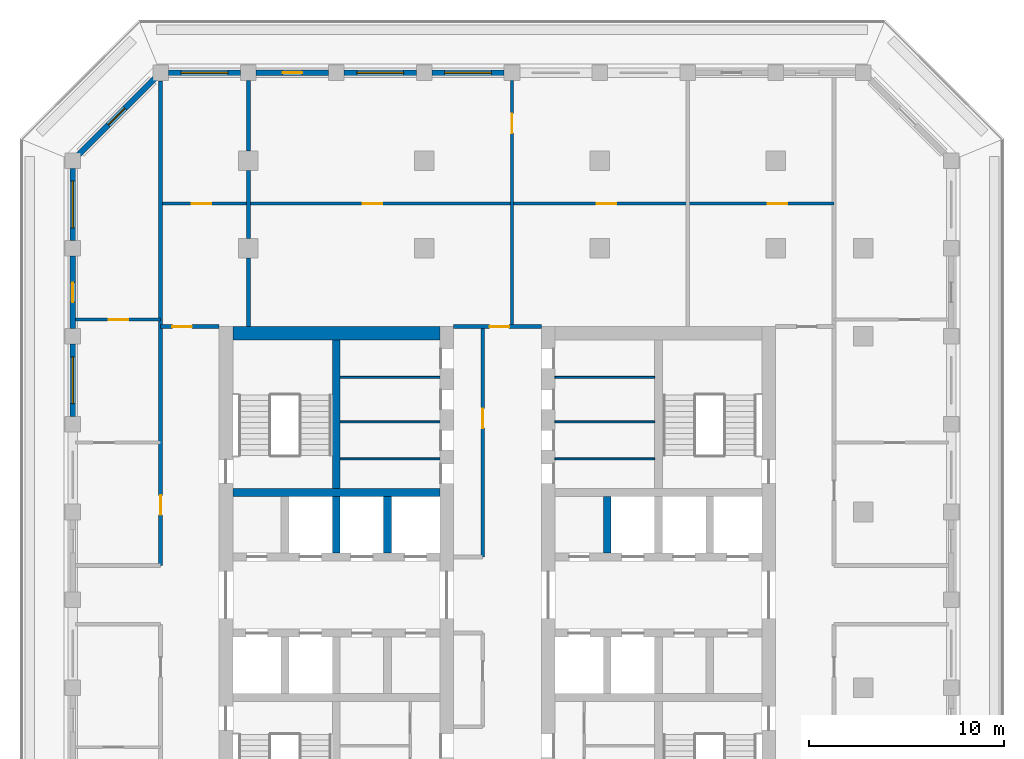
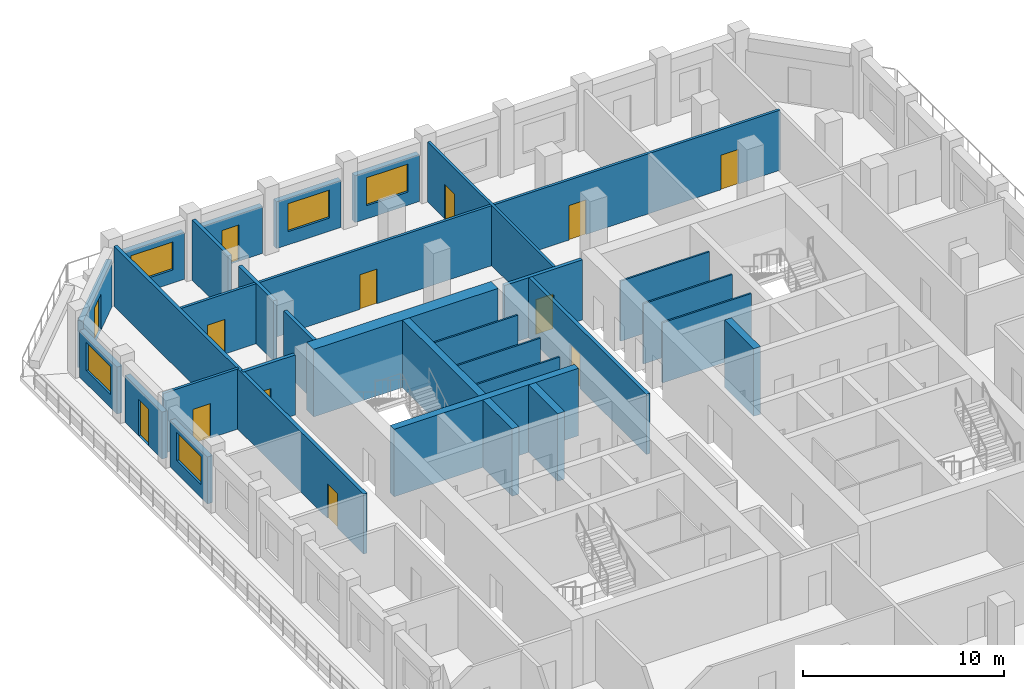
# One storey, part 6 of 17: 30 walls, 13 doors, 5 windows, 18 openings.
"""IFC4 building model written with IfcOpenShell, lengths in metres."""

from ifc_helpers import new_model, si_unit, direction, frame, frame_2d, origin, place, context, subcontext, project, spatial, rectangle, extrude, material, layer, layer_set, type_object, element, fill, save


model = new_model("IFC4")

# Units and contexts
model_context = context("Model", 3, precision=1e-05, world=origin(), true_north=direction((0.0, 1.0)))
body_context = subcontext(model_context, "Body", "Model", "MODEL_VIEW")
ifc_project = project(units=[si_unit("LENGTHUNIT", "METRE"), si_unit("AREAUNIT", "SQUARE_METRE"), si_unit("VOLUMEUNIT", "CUBIC_METRE"), si_unit("PLANEANGLEUNIT", "RADIAN"), si_unit("MASSUNIT", "GRAM", prefix="KILO")], contexts=[model_context])

# Site, building, storey
site_placement = place(None, origin())
site = spatial("IfcSite", under=ifc_project, at=site_placement, CompositionType="ELEMENT")
building_placement = place(site_placement, origin())
building = spatial("IfcBuilding", under=site, at=building_placement, Name="Corbel Stack Research Tower", CompositionType="ELEMENT")
storey_placement = place(building_placement, frame((0.0, 0.0, 235.699951171875)))
storey = spatial("IfcBuildingStorey", under=building, at=storey_placement, Name="L53", CompositionType="ELEMENT", Elevation=235.699951171875)

# Walls
ifc_material_1 = material(Name="Concrete C60/75", Category="concrete")
ifc_layer_1 = layer(ifc_material_1, 0.39990234375)
ifc_layer_set_1 = layer_set([ifc_layer_1], Name="Concrete C60/75")
wall_type_1 = type_object("IfcWallType", Name="CW-400-60", PredefinedType="SHEAR", material=ifc_layer_set_1)
wall_1_placement = place(storey_placement, frame((-9.800048828125, 10.0, 0.0), z_axis=(0.0, 0.0, 1.0), x_axis=(1.0, 0.0, 0.0)))
element("IfcWall", 1, at=wall_1_placement, inside=storey, type_object=wall_type_1, Name="West core wall, north row back L53", PredefinedType="SHEAR", context=body_context, shape_type="SweptSolid", body=[
    extrude(rectangle(XDim=10.60009765625, YDim=0.39990234375, at=frame_2d((5.300048828125, 0.0))), origin(), (0.0, 0.0, 1.0), 4.10009765625),
])
for number, where, z_axis, x_axis, name in (
    (2, (-4.5, 6.89990234375, 0.0), (0.0, 0.0, 1.0), (0.0, 1.0, 0.0), "West core wall, north shaft 2 L53"),
    (3, (-1.875, 6.89990234375, 0.0), (0.0, 0.0, 1.0), (0.0, 1.0, 0.0), "West core wall, north shaft 3 L53"),
):
    element("IfcWall", number, at=place(storey_placement, frame(where, z_axis=z_axis, x_axis=x_axis)), inside=storey, type_object=wall_type_1, Name=name, PredefinedType="SHEAR", context=body_context, shape_type="SweptSolid", body=[
        extrude(rectangle(XDim=2.900146484375, YDim=0.39990234375, at=frame_2d((1.4501953125, 0.0))), origin(), (0.0, 0.0, 1.0), 4.10009765625),
    ])
wall_2_placement = place(storey_placement, frame((-4.5, 10.199951171875, 0.0), z_axis=(0.0, 0.0, 1.0), x_axis=(0.0, 1.0, 0.0)))
element("IfcWall", 4, at=wall_2_placement, inside=storey, type_object=wall_type_1, Name="West core wall, north stair and riser L53", PredefinedType="SHEAR", context=body_context, shape_type="SweptSolid", body=[
    extrude(rectangle(XDim=7.60009765625, YDim=0.39990234375, at=frame_2d((3.800048828125, 0.0))), origin(), (0.0, 0.0, 1.0), 4.10009765625),
])
wall_3_placement = place(storey_placement, frame((9.375, 6.89990234375, 0.0), z_axis=(0.0, 0.0, 1.0), x_axis=(0.0, 1.0, 0.0)))
element("IfcWall", 5, at=wall_3_placement, inside=storey, type_object=wall_type_1, Name="East core wall, north shaft 1 L53", PredefinedType="SHEAR", context=body_context, shape_type="SweptSolid", body=[
    extrude(rectangle(XDim=2.900146484375, YDim=0.39990234375, at=frame_2d((1.4501953125, 0.0))), origin(), (0.0, 0.0, 1.0), 4.10009765625),
])
ifc_material_2 = material(Name="Concrete C60/75", Category="concrete")
ifc_layer_2 = layer(ifc_material_2, 0.699951171875)
ifc_layer_set_2 = layer_set([ifc_layer_2], Name="Concrete C60/75")
wall_type_2 = type_object("IfcWallType", Name="CW-700-60", PredefinedType="SHEAR", material=ifc_layer_set_2)
wall_4_placement = place(storey_placement, frame((-9.800048828125, 18.14990234375, 0.0), z_axis=(0.0, 0.0, 1.0), x_axis=(1.0, 0.0, 0.0)))
element("IfcWall", 6, at=wall_4_placement, inside=storey, type_object=wall_type_2, Name="West core wall, north end L53", PredefinedType="SHEAR", context=body_context, shape_type="SweptSolid", body=[
    extrude(rectangle(XDim=10.60009765625, YDim=0.699951171875, at=frame_2d((5.300048828125, 0.0))), origin(), (0.0, 0.0, 1.0), 4.10009765625),
])
ifc_material_3 = material(Name="Gypsum board")
ifc_layer_3 = layer(ifc_material_3, 0.10009765625)
ifc_layer_set_3 = layer_set([ifc_layer_3], Name="Gypsum board")
wall_type_3 = type_object("IfcWallType", Name="Core partition 100", PredefinedType="PARTITIONING", material=ifc_layer_set_3)
for number, where, z_axis, x_axis, name in (
    (7, (-4.300048828125, 11.719970703125, 0.0), (0.0, 0.0, 1.0), (1.0, 0.0, 0.0), "Core partition W"),
    (8, (-4.300048828125, 13.6201171875, 0.0), (0.0, 0.0, 1.0), (1.0, 0.0, 0.0), "Core partition W"),
    (9, (-4.300048828125, 15.89990234375, 0.0), (0.0, 0.0, 1.0), (1.0, 0.0, 0.0), "Core partition W"),
    (10, (6.699951171875, 11.719970703125, 0.0), (0.0, 0.0, 1.0), (1.0, 0.0, 0.0), "Core partition E"),
    (11, (6.699951171875, 13.6201171875, 0.0), (0.0, 0.0, 1.0), (1.0, 0.0, 0.0), "Core partition E"),
    (12, (6.699951171875, 15.89990234375, 0.0), (0.0, 0.0, 1.0), (1.0, 0.0, 0.0), "Core partition E"),
):
    element("IfcWall", number, at=place(storey_placement, frame(where, z_axis=z_axis, x_axis=x_axis)), inside=storey, type_object=wall_type_3, Name=name, PredefinedType="PARTITIONING", context=body_context, shape_type="SweptSolid", body=[
        extrude(rectangle(XDim=5.10009765625, YDim=0.10009765625, at=frame_2d((2.550048828125, 0.0))), origin(), (0.0, 0.0, 1.0), 3.650146484375),
    ])

# Wall, opening, door
ifc_material_4 = material(Name="Fire-rated gypsum board partition on steel studs", Category="steel")
ifc_layer_4 = layer(ifc_material_4, 0.14990234375)
ifc_layer_set_4 = layer_set([ifc_layer_4], Name="Fire-rated gypsum board partition on steel studs")
wall_type_4 = type_object("IfcWallType", Name="Fire-rated partition 150 EI 60", PredefinedType="PARTITIONING", material=ifc_layer_set_4)
wall_5_placement = place(storey_placement, frame((4.5, 31.10009765625, 0.0), z_axis=(0.0, 0.0, 1.0), x_axis=(0.0, -1.0, 0.0)))
wall_5 = element("IfcWall", 13, at=wall_5_placement, inside=storey, type_object=wall_type_4, Name="Partition L53-011", PredefinedType="PARTITIONING", context=body_context, shape_type="SweptSolid", body=[
    extrude(rectangle(XDim=12.60009765625, YDim=0.14990234375, at=frame_2d((6.300048828125, 0.0))), origin(), (0.0, 0.0, 1.0), 3.650146484375),
])
opening_1_placement = place(wall_5_placement, frame((1.699951171875, 0.0, 0.0)))
opening_1 = element("IfcOpeningElement", 14, at=opening_1_placement, cuts=wall_5, Name="Opening B7V0-018", PredefinedType="OPENING", context=body_context, shape_type="SweptSolid", body=[
    extrude(rectangle(XDim=1.0, YDim=2.10009765625, at=frame_2d((0.5, 1.050048828125))), frame((0.0, 0.0849609375, 0.0), z_axis=(0.0, -1.0, 0.0), x_axis=(1.0, 0.0, 0.0)), (0.0, 0.0, 1.0), 0.169921875),
])
ifc_material_5 = material(Name="Painted steel fire door", Category="steel")
door_type_1 = type_object("IfcDoorType", Name="Fire door FD30S 1000 x 2100", OperationType="NOTDEFINED", PredefinedType="DOOR", material=ifc_material_5)
door_1_placement = place(opening_1_placement, origin())
door_1 = element("IfcDoor", 15, at=door_1_placement, inside=storey, type_object=door_type_1, Name="Door B7V0-018", OperationType="SINGLE_SWING_LEFT", OverallHeight=2.10009765625, OverallWidth=1.0, PredefinedType="DOOR", context=body_context, shape_type="SweptSolid", body=[
    extrude(rectangle(XDim=1.0, YDim=2.10009765625, at=frame_2d((0.5, 1.050048828125))), frame((0.0, 0.02490234375, 0.0), z_axis=(0.0, -1.0, 0.0), x_axis=(1.0, 0.0, 0.0)), (0.0, 0.0, 1.0), 0.050048828125),
])
fill(opening_1, door_1)

ifc_material_6 = material(Name="Fire-rated gypsum board partition on steel studs", Category="steel")
ifc_layer_5 = layer(ifc_material_6, 0.199951171875)
ifc_layer_set_5 = layer_set([ifc_layer_5], Name="Fire-rated gypsum board partition on steel studs")
wall_type_5 = type_object("IfcWallType", Name="Fire-rated partition 200 EI 60", PredefinedType="PARTITIONING", material=ifc_layer_set_5)
wall_6_placement = place(storey_placement, frame((-13.5, 6.25, 0.0), z_axis=(0.0, 0.0, 1.0), x_axis=(0.0, 1.0, 0.0)))
wall_6 = element("IfcWall", 16, at=wall_6_placement, inside=storey, type_object=wall_type_5, Name="Partition L53-002", PredefinedType="PARTITIONING", context=body_context, shape_type="SweptSolid", body=[
    extrude(rectangle(XDim=24.8271484375, YDim=0.199951171875, at=frame_2d((12.41357421875, 0.0))), origin(), (0.0, 0.0, 1.0), 3.650146484375),
])
opening_2_placement = place(wall_6_placement, frame((2.60009765625, 0.0, 0.0)))
opening_2 = element("IfcOpeningElement", 17, at=opening_2_placement, cuts=wall_6, Name="Opening B7V0-006", PredefinedType="OPENING", context=body_context, shape_type="SweptSolid", body=[
    extrude(rectangle(XDim=1.0, YDim=2.10009765625, at=frame_2d((0.5, 1.050048828125))), frame((0.0, 0.10986328125, 0.0), z_axis=(0.0, -1.0, 0.0), x_axis=(1.0, 0.0, 0.0)), (0.0, 0.0, 1.0), 0.219970703125),
])
door_2_placement = place(opening_2_placement, origin())
door_2 = element("IfcDoor", 18, at=door_2_placement, inside=storey, type_object=door_type_1, Name="Door B7V0-006", OperationType="SINGLE_SWING_LEFT", OverallHeight=2.10009765625, OverallWidth=1.0, PredefinedType="DOOR", context=body_context, shape_type="SweptSolid", body=[
    extrude(rectangle(XDim=1.0, YDim=2.10009765625, at=frame_2d((0.5, 1.050048828125))), frame((0.0, 0.02490234375, 0.0), z_axis=(0.0, -1.0, 0.0), x_axis=(1.0, 0.0, 0.0)), (0.0, 0.0, 1.0), 0.050048828125),
])
fill(opening_2, door_2)

# Walls
for number, where, z_axis, x_axis, name in (
    (19, (-9.0, 18.5, 0.0), (0.0, 0.0, 1.0), (0.0, 1.0, 0.0), "Partition L53-005"),
    (20, (-9.0, 23.0, 0.0), (0.0, 0.0, 1.0), (0.0, 1.0, 0.0), "Partition L53-006"),
):
    element("IfcWall", number, at=place(storey_placement, frame(where, z_axis=z_axis, x_axis=x_axis)), inside=storey, type_object=wall_type_5, Name=name, PredefinedType="PARTITIONING", context=body_context, shape_type="SweptSolid", body=[
        extrude(rectangle(XDim=3.5, YDim=0.199951171875, at=frame_2d((1.75, 0.0))), origin(), (0.0, 0.0, 1.0), 3.650146484375),
    ])
wall_7_placement = place(storey_placement, frame((-9.0, 27.5, 0.0), z_axis=(0.0, 0.0, 1.0), x_axis=(0.0, 1.0, 0.0)))
element("IfcWall", 21, at=wall_7_placement, inside=storey, type_object=wall_type_5, Name="Partition L53-007", PredefinedType="PARTITIONING", context=body_context, shape_type="SweptSolid", body=[
    extrude(rectangle(XDim=3.60009765625, YDim=0.199951171875, at=frame_2d((1.800048828125, 0.0))), origin(), (0.0, 0.0, 1.0), 3.650146484375),
])

# Wall, opening, door
wall_8_placement = place(storey_placement, frame((3.0, 6.699951171875, 0.0), z_axis=(0.0, 0.0, 1.0), x_axis=(0.0, 1.0, 0.0)))
wall_8 = element("IfcWall", 22, at=wall_8_placement, inside=storey, type_object=wall_type_5, Name="Partition L53-010", PredefinedType="PARTITIONING", context=body_context, shape_type="SweptSolid", body=[
    extrude(rectangle(XDim=11.800048828125, YDim=0.199951171875, at=frame_2d((5.89990234375, 0.0))), origin(), (0.0, 0.0, 1.0), 3.650146484375),
])
opening_3_placement = place(wall_8_placement, frame((6.60009765625, 0.0, 0.0)))
opening_3 = element("IfcOpeningElement", 23, at=opening_3_placement, cuts=wall_8, Name="Opening B7V0-017", PredefinedType="OPENING", context=body_context, shape_type="SweptSolid", body=[
    extrude(rectangle(XDim=1.0, YDim=2.10009765625, at=frame_2d((0.5, 1.050048828125))), frame((0.0, 0.10986328125, 0.0), z_axis=(0.0, -1.0, 0.0), x_axis=(1.0, 0.0, 0.0)), (0.0, 0.0, 1.0), 0.219970703125),
])
door_3_placement = place(opening_3_placement, origin())
door_3 = element("IfcDoor", 24, at=door_3_placement, inside=storey, type_object=door_type_1, Name="Door B7V0-017", OperationType="SINGLE_SWING_RIGHT", OverallHeight=2.10009765625, OverallWidth=1.0, PredefinedType="DOOR", context=body_context, shape_type="SweptSolid", body=[
    extrude(rectangle(XDim=1.0, YDim=2.10009765625, at=frame_2d((0.5, 1.050048828125))), frame((0.0, 0.02490234375, 0.0), z_axis=(0.0, -1.0, 0.0), x_axis=(1.0, 0.0, 0.0)), (0.0, 0.0, 1.0), 0.050048828125),
])
fill(opening_3, door_3)

wall_9_placement = place(storey_placement, frame((-13.5, 18.5, 0.0), z_axis=(0.0, 0.0, 1.0), x_axis=(1.0, 0.0, 0.0)))
wall_9 = element("IfcWall", 25, at=wall_9_placement, inside=storey, type_object=wall_type_5, Name="Partition L53-036", PredefinedType="PARTITIONING", context=body_context, shape_type="SweptSolid", body=[
    extrude(rectangle(XDim=3.0, YDim=0.199951171875, at=frame_2d((1.5, 0.0))), origin(), (0.0, 0.0, 1.0), 3.650146484375),
])
opening_4_placement = place(wall_9_placement, frame((0.60009765625, 0.0, 0.0)))
opening_4 = element("IfcOpeningElement", 26, at=opening_4_placement, cuts=wall_9, Name="Opening B7V0-021", PredefinedType="OPENING", context=body_context, shape_type="SweptSolid", body=[
    extrude(rectangle(XDim=1.0, YDim=2.10009765625, at=frame_2d((0.5, 1.050048828125))), frame((0.0, 0.10986328125, 0.0), z_axis=(0.0, -1.0, 0.0), x_axis=(1.0, 0.0, 0.0)), (0.0, 0.0, 1.0), 0.219970703125),
])
door_4_placement = place(opening_4_placement, origin())
door_4 = element("IfcDoor", 27, at=door_4_placement, inside=storey, type_object=door_type_1, Name="Door B7V0-021", OperationType="SINGLE_SWING_LEFT", OverallHeight=2.10009765625, OverallWidth=1.0, PredefinedType="DOOR", context=body_context, shape_type="SweptSolid", body=[
    extrude(rectangle(XDim=1.0, YDim=2.10009765625, at=frame_2d((0.5, 1.050048828125))), frame((0.0, 0.02490234375, 0.0), z_axis=(0.0, -1.0, 0.0), x_axis=(1.0, 0.0, 0.0)), (0.0, 0.0, 1.0), 0.050048828125),
])
fill(opening_4, door_4)

wall_10_placement = place(storey_placement, frame((1.5, 18.5, 0.0), z_axis=(0.0, 0.0, 1.0), x_axis=(1.0, 0.0, 0.0)))
wall_10 = element("IfcWall", 28, at=wall_10_placement, inside=storey, type_object=wall_type_5, Name="Partition L53-037", PredefinedType="PARTITIONING", context=body_context, shape_type="SweptSolid", body=[
    extrude(rectangle(XDim=4.5, YDim=0.199951171875, at=frame_2d((2.25, 0.0))), origin(), (0.0, 0.0, 1.0), 3.650146484375),
])
opening_5_placement = place(wall_10_placement, frame((1.85009765625, 0.0, 0.0)))
opening_5 = element("IfcOpeningElement", 29, at=opening_5_placement, cuts=wall_10, Name="Opening B7V0-022", PredefinedType="OPENING", context=body_context, shape_type="SweptSolid", body=[
    extrude(rectangle(XDim=1.0, YDim=2.10009765625, at=frame_2d((0.5, 1.050048828125))), frame((0.0, 0.10986328125, 0.0), z_axis=(0.0, -1.0, 0.0), x_axis=(1.0, 0.0, 0.0)), (0.0, 0.0, 1.0), 0.219970703125),
])
door_5_placement = place(opening_5_placement, origin())
door_5 = element("IfcDoor", 30, at=door_5_placement, inside=storey, type_object=door_type_1, Name="Door B7V0-022", OperationType="SINGLE_SWING_RIGHT", OverallHeight=2.10009765625, OverallWidth=1.0, PredefinedType="DOOR", context=body_context, shape_type="SweptSolid", body=[
    extrude(rectangle(XDim=1.0, YDim=2.10009765625, at=frame_2d((0.5, 1.050048828125))), frame((0.0, 0.02490234375, 0.0), z_axis=(0.0, -1.0, 0.0), x_axis=(1.0, 0.0, 0.0)), (0.0, 0.0, 1.0), 0.050048828125),
])
fill(opening_5, door_5)

ifc_material_7 = material(Name="Gypsum board partition on steel studs", Category="steel")
ifc_layer_6 = layer(ifc_material_7, 0.14990234375)
ifc_layer_set_6 = layer_set([ifc_layer_6], Name="Gypsum board partition on steel studs")
wall_type_6 = type_object("IfcWallType", Name="Partition 150", PredefinedType="PARTITIONING", material=ifc_layer_set_6)
wall_11_placement = place(storey_placement, frame((-17.85009765625, 18.85009765625, 0.0), z_axis=(0.0, 0.0, 1.0), x_axis=(1.0, 0.0, 0.0)))
wall_11 = element("IfcWall", 31, at=wall_11_placement, inside=storey, type_object=wall_type_6, Name="Partition L53-039", PredefinedType="PARTITIONING", context=body_context, shape_type="SweptSolid", body=[
    extrude(rectangle(XDim=4.35009765625, YDim=0.14990234375, at=frame_2d((2.175048828125, 0.0))), origin(), (0.0, 0.0, 1.0), 3.650146484375),
])
opening_6_placement = place(wall_11_placement, frame((1.699951171875, 0.0, 0.0)))
opening_6 = element("IfcOpeningElement", 32, at=opening_6_placement, cuts=wall_11, Name="Opening B7V0-024", PredefinedType="OPENING", context=body_context, shape_type="SweptSolid", body=[
    extrude(rectangle(XDim=1.0, YDim=2.10009765625, at=frame_2d((0.5, 1.050048828125))), frame((0.0, 0.0849609375, 0.0), z_axis=(0.0, -1.0, 0.0), x_axis=(1.0, 0.0, 0.0)), (0.0, 0.0, 1.0), 0.169921875),
])
ifc_material_8 = material(Name="Painted timber door", Category="wood")
door_type_2 = type_object("IfcDoorType", Name="Single door 1000 x 2100", OperationType="NOTDEFINED", PredefinedType="DOOR", material=ifc_material_8)
door_6_placement = place(opening_6_placement, origin())
door_6 = element("IfcDoor", 33, at=door_6_placement, inside=storey, type_object=door_type_2, Name="Door B7V0-024", OperationType="SINGLE_SWING_LEFT", OverallHeight=2.10009765625, OverallWidth=1.0, PredefinedType="DOOR", context=body_context, shape_type="SweptSolid", body=[
    extrude(rectangle(XDim=1.0, YDim=2.10009765625, at=frame_2d((0.5, 1.050048828125))), frame((0.0, 0.02490234375, 0.0), z_axis=(0.0, -1.0, 0.0), x_axis=(1.0, 0.0, 0.0)), (0.0, 0.0, 1.0), 0.050048828125),
])
fill(opening_6, door_6)

# Wall, openings, doors
wall_12_placement = place(storey_placement, frame((-13.5, 24.800048828125, 0.0), z_axis=(0.0, 0.0, 1.0), x_axis=(1.0, 0.0, 0.0)))
wall_12 = element("IfcWall", 34, at=wall_12_placement, inside=storey, type_object=wall_type_6, Name="Partition L53-041", PredefinedType="PARTITIONING", context=body_context, shape_type="SweptSolid", body=[
    extrude(rectangle(XDim=34.5, YDim=0.14990234375, at=frame_2d((17.25, 0.0))), origin(), (0.0, 0.0, 1.0), 3.650146484375),
])
opening_7_placement = place(wall_12_placement, frame((1.60009765625, 0.0, 0.0)))
opening_7 = element("IfcOpeningElement", 35, at=opening_7_placement, cuts=wall_12, Name="Opening B7V0-028", PredefinedType="OPENING", context=body_context, shape_type="SweptSolid", body=[
    extrude(rectangle(XDim=1.0, YDim=2.10009765625, at=frame_2d((0.5, 1.050048828125))), frame((0.0, 0.0849609375, 0.0), z_axis=(0.0, -1.0, 0.0), x_axis=(1.0, 0.0, 0.0)), (0.0, 0.0, 1.0), 0.169921875),
])
opening_8_placement = place(wall_12_placement, frame((10.35009765625, 0.0, 0.0)))
opening_8 = element("IfcOpeningElement", 36, at=opening_8_placement, cuts=wall_12, Name="Opening B7V0-029", PredefinedType="OPENING", context=body_context, shape_type="SweptSolid", body=[
    extrude(rectangle(XDim=1.0, YDim=2.10009765625, at=frame_2d((0.5, 1.050048828125))), frame((0.0, 0.0849609375, 0.0), z_axis=(0.0, -1.0, 0.0), x_axis=(1.0, 0.0, 0.0)), (0.0, 0.0, 1.0), 0.169921875),
])
opening_9_placement = place(wall_12_placement, frame((22.35009765625, 0.0, 0.0)))
opening_9 = element("IfcOpeningElement", 37, at=opening_9_placement, cuts=wall_12, Name="Opening B7V0-030", PredefinedType="OPENING", context=body_context, shape_type="SweptSolid", body=[
    extrude(rectangle(XDim=1.0, YDim=2.10009765625, at=frame_2d((0.5, 1.050048828125))), frame((0.0, 0.0849609375, 0.0), z_axis=(0.0, -1.0, 0.0), x_axis=(1.0, 0.0, 0.0)), (0.0, 0.0, 1.0), 0.169921875),
])
opening_10_placement = place(wall_12_placement, frame((31.10009765625, 0.0, 0.0)))
opening_10 = element("IfcOpeningElement", 38, at=opening_10_placement, cuts=wall_12, Name="Opening B7V0-031", PredefinedType="OPENING", context=body_context, shape_type="SweptSolid", body=[
    extrude(rectangle(XDim=1.0, YDim=2.10009765625, at=frame_2d((0.5, 1.050048828125))), frame((0.0, 0.0849609375, 0.0), z_axis=(0.0, -1.0, 0.0), x_axis=(1.0, 0.0, 0.0)), (0.0, 0.0, 1.0), 0.169921875),
])
door_7_placement = place(opening_7_placement, origin())
door_7 = element("IfcDoor", 39, at=door_7_placement, inside=storey, type_object=door_type_2, Name="Door B7V0-028", OperationType="SINGLE_SWING_LEFT", OverallHeight=2.10009765625, OverallWidth=1.0, PredefinedType="DOOR", context=body_context, shape_type="SweptSolid", body=[
    extrude(rectangle(XDim=1.0, YDim=2.10009765625, at=frame_2d((0.5, 1.050048828125))), frame((0.0, 0.02490234375, 0.0), z_axis=(0.0, -1.0, 0.0), x_axis=(1.0, 0.0, 0.0)), (0.0, 0.0, 1.0), 0.050048828125),
])
fill(opening_7, door_7)
door_8_placement = place(opening_8_placement, origin())
door_8 = element("IfcDoor", 40, at=door_8_placement, inside=storey, type_object=door_type_2, Name="Door B7V0-029", OperationType="SINGLE_SWING_LEFT", OverallHeight=2.10009765625, OverallWidth=1.0, PredefinedType="DOOR", context=body_context, shape_type="SweptSolid", body=[
    extrude(rectangle(XDim=1.0, YDim=2.10009765625, at=frame_2d((0.5, 1.050048828125))), frame((0.0, 0.02490234375, 0.0), z_axis=(0.0, -1.0, 0.0), x_axis=(1.0, 0.0, 0.0)), (0.0, 0.0, 1.0), 0.050048828125),
])
fill(opening_8, door_8)
door_9_placement = place(opening_9_placement, origin())
door_9 = element("IfcDoor", 41, at=door_9_placement, inside=storey, type_object=door_type_2, Name="Door B7V0-030", OperationType="SINGLE_SWING_RIGHT", OverallHeight=2.10009765625, OverallWidth=1.0, PredefinedType="DOOR", context=body_context, shape_type="SweptSolid", body=[
    extrude(rectangle(XDim=1.0, YDim=2.10009765625, at=frame_2d((0.5, 1.050048828125))), frame((0.0, 0.02490234375, 0.0), z_axis=(0.0, -1.0, 0.0), x_axis=(1.0, 0.0, 0.0)), (0.0, 0.0, 1.0), 0.050048828125),
])
fill(opening_9, door_9)
door_10_placement = place(opening_10_placement, origin())
door_10 = element("IfcDoor", 42, at=door_10_placement, inside=storey, type_object=door_type_2, Name="Door B7V0-031", OperationType="SINGLE_SWING_RIGHT", OverallHeight=2.10009765625, OverallWidth=1.0, PredefinedType="DOOR", context=body_context, shape_type="SweptSolid", body=[
    extrude(rectangle(XDim=1.0, YDim=2.10009765625, at=frame_2d((0.5, 1.050048828125))), frame((0.0, 0.02490234375, 0.0), z_axis=(0.0, -1.0, 0.0), x_axis=(1.0, 0.0, 0.0)), (0.0, 0.0, 1.0), 0.050048828125),
])
fill(opening_10, door_10)

# Wall, opening, window
ifc_material_9 = material(Name="Concrete C45/55", Category="concrete")
ifc_layer_7 = layer(ifc_material_9, 0.300048828125)
ifc_layer_set_7 = layer_set([ifc_layer_7], Name="Concrete C45/55")
wall_type_7 = type_object("IfcWallType", Name="Terracotta-faced concrete wall 300", PredefinedType="SOLIDWALL", material=ifc_layer_set_7)
wall_13_placement = place(storey_placement, frame((0.39990234375, 31.5, 0.0), z_axis=(0.0, 0.0, 1.0), x_axis=(1.0, 0.0, 0.0)))
wall_13 = element("IfcWall", 43, at=wall_13_placement, inside=storey, type_object=wall_type_7, Name="Facade wall L53 N05", PredefinedType="SOLIDWALL", context=body_context, shape_type="SweptSolid", body=[
    extrude(rectangle(XDim=3.7001953125, YDim=0.300048828125, at=frame_2d((1.85009765625, 0.0))), origin(), (0.0, 0.0, 1.0), 2.85009765625),
])
opening_11_placement = place(wall_13_placement, frame((0.64990234375, 0.0, 0.800048828125)))
opening_11 = element("IfcOpeningElement", 44, at=opening_11_placement, cuts=wall_13, Name="Opening W1", PredefinedType="OPENING", context=body_context, shape_type="SweptSolid", body=[
    extrude(rectangle(XDim=2.39990234375, YDim=1.699951171875, at=frame_2d((1.199951171875, 0.85009765625))), frame((0.0, 0.159912109375, 0.0), z_axis=(0.0, -1.0, 0.0), x_axis=(1.0, 0.0, 0.0)), (0.0, 0.0, 1.0), 0.320068359375),
])
ifc_material_10 = material(Name="Aluminium frame, clear double glazing", Category="aluminium")
window_type = type_object("IfcWindowType", Name="Window W1 2400 x 1700", PartitioningType="SINGLE_PANEL", PredefinedType="WINDOW", material=ifc_material_10)
window_1_placement = place(opening_11_placement, origin())
window_1 = element("IfcWindow", 45, at=window_1_placement, inside=storey, type_object=window_type, Name="Window W1 L53 N05", OverallHeight=1.699951171875, OverallWidth=2.39990234375, PartitioningType="SINGLE_PANEL", PredefinedType="WINDOW", context=body_context, shape_type="SweptSolid", body=[
    extrude(rectangle(XDim=2.39990234375, YDim=1.699951171875, at=frame_2d((1.199951171875, 0.85009765625))), frame((0.0, 0.030029296875, 0.0), z_axis=(0.0, -1.0, 0.0), x_axis=(1.0, 0.0, 0.0)), (0.0, 0.0, 1.0), 0.06005859375),
])
fill(opening_11, window_1)

wall_14_placement = place(storey_placement, frame((-4.10009765625, 31.5, 0.0), z_axis=(0.0, 0.0, 1.0), x_axis=(1.0, 0.0, 0.0)))
wall_14 = element("IfcWall", 46, at=wall_14_placement, inside=storey, type_object=wall_type_7, Name="Facade wall L53 N06", PredefinedType="SOLIDWALL", context=body_context, shape_type="SweptSolid", body=[
    extrude(rectangle(XDim=3.7001953125, YDim=0.300048828125, at=frame_2d((1.85009765625, 0.0))), origin(), (0.0, 0.0, 1.0), 2.85009765625),
])
opening_12_placement = place(wall_14_placement, frame((0.64990234375, 0.0, 0.800048828125)))
opening_12 = element("IfcOpeningElement", 47, at=opening_12_placement, cuts=wall_14, Name="Opening W1", PredefinedType="OPENING", context=body_context, shape_type="SweptSolid", body=[
    extrude(rectangle(XDim=2.39990234375, YDim=1.699951171875, at=frame_2d((1.199951171875, 0.85009765625))), frame((0.0, 0.159912109375, 0.0), z_axis=(0.0, -1.0, 0.0), x_axis=(1.0, 0.0, 0.0)), (0.0, 0.0, 1.0), 0.320068359375),
])
window_2_placement = place(opening_12_placement, origin())
window_2 = element("IfcWindow", 48, at=window_2_placement, inside=storey, type_object=window_type, Name="Window W1 L53 N06", OverallHeight=1.699951171875, OverallWidth=2.39990234375, PartitioningType="SINGLE_PANEL", PredefinedType="WINDOW", context=body_context, shape_type="SweptSolid", body=[
    extrude(rectangle(XDim=2.39990234375, YDim=1.699951171875, at=frame_2d((1.199951171875, 0.85009765625))), frame((0.0, 0.030029296875, 0.0), z_axis=(0.0, -1.0, 0.0), x_axis=(1.0, 0.0, 0.0)), (0.0, 0.0, 1.0), 0.06005859375),
])
fill(opening_12, window_2)

# Wall, opening, door
wall_15_placement = place(storey_placement, frame((-8.60009765625, 31.5, 0.0), z_axis=(0.0, 0.0, 1.0), x_axis=(1.0, 0.0, 0.0)))
wall_15 = element("IfcWall", 49, at=wall_15_placement, inside=storey, type_object=wall_type_7, Name="Facade wall L53 N07", PredefinedType="SOLIDWALL", context=body_context, shape_type="SweptSolid", body=[
    extrude(rectangle(XDim=3.7001953125, YDim=0.300048828125, at=frame_2d((1.85009765625, 0.0))), origin(), (0.0, 0.0, 1.0), 2.85009765625),
])
opening_13_placement = place(wall_15_placement, frame((1.35009765625, 0.0, 0.0)))
opening_13 = element("IfcOpeningElement", 50, at=opening_13_placement, cuts=wall_15, Name="Opening L53-B08", PredefinedType="OPENING", context=body_context, shape_type="SweptSolid", body=[
    extrude(rectangle(XDim=1.0, YDim=2.199951171875, at=frame_2d((0.5, 1.10009765625))), frame((0.0, 0.159912109375, 0.0), z_axis=(0.0, -1.0, 0.0), x_axis=(1.0, 0.0, 0.0)), (0.0, 0.0, 1.0), 0.320068359375),
])
ifc_material_11 = material(Name="Aluminium frame, clear double glazing", Category="aluminium")
door_type_3 = type_object("IfcDoorType", Name="Balcony door BD1 1000 x 2200", OperationType="NOTDEFINED", PredefinedType="DOOR", material=ifc_material_11)
door_11_placement = place(opening_13_placement, origin())
door_11 = element("IfcDoor", 51, at=door_11_placement, inside=storey, type_object=door_type_3, Name="Balcony door L53-B08", OperationType="SINGLE_SWING_RIGHT", OverallHeight=2.199951171875, OverallWidth=1.0, PredefinedType="DOOR", context=body_context, shape_type="SweptSolid", body=[
    extrude(rectangle(XDim=1.0, YDim=2.199951171875, at=frame_2d((0.5, 1.10009765625))), frame((0.0, 0.02490234375, 0.0), z_axis=(0.0, -1.0, 0.0), x_axis=(1.0, 0.0, 0.0)), (0.0, 0.0, 1.0), 0.050048828125),
])
fill(opening_13, door_11)

# Wall, opening, window
wall_16_placement = place(storey_placement, frame((-13.10009765625, 31.5, 0.0), z_axis=(0.0, 0.0, 1.0), x_axis=(1.0, 0.0, 0.0)))
wall_16 = element("IfcWall", 52, at=wall_16_placement, inside=storey, type_object=wall_type_7, Name="Facade wall L53 N08", PredefinedType="SOLIDWALL", context=body_context, shape_type="SweptSolid", body=[
    extrude(rectangle(XDim=3.7001953125, YDim=0.300048828125, at=frame_2d((1.85009765625, 0.0))), origin(), (0.0, 0.0, 1.0), 2.85009765625),
])
opening_14_placement = place(wall_16_placement, frame((0.64990234375, 0.0, 0.800048828125)))
opening_14 = element("IfcOpeningElement", 53, at=opening_14_placement, cuts=wall_16, Name="Opening W1", PredefinedType="OPENING", context=body_context, shape_type="SweptSolid", body=[
    extrude(rectangle(XDim=2.39990234375, YDim=1.699951171875, at=frame_2d((1.199951171875, 0.85009765625))), frame((0.0, 0.159912109375, 0.0), z_axis=(0.0, -1.0, 0.0), x_axis=(1.0, 0.0, 0.0)), (0.0, 0.0, 1.0), 0.320068359375),
])
window_3_placement = place(opening_14_placement, origin())
window_3 = element("IfcWindow", 54, at=window_3_placement, inside=storey, type_object=window_type, Name="Window W1 L53 N08", OverallHeight=1.699951171875, OverallWidth=2.39990234375, PartitioningType="SINGLE_PANEL", PredefinedType="WINDOW", context=body_context, shape_type="SweptSolid", body=[
    extrude(rectangle(XDim=2.39990234375, YDim=1.699951171875, at=frame_2d((1.199951171875, 0.85009765625))), frame((0.0, 0.030029296875, 0.0), z_axis=(0.0, -1.0, 0.0), x_axis=(1.0, 0.0, 0.0)), (0.0, 0.0, 1.0), 0.06005859375),
])
fill(opening_14, window_3)

# Wall, opening, door
wall_17_placement = place(storey_placement, frame((-17.7060546875, 27.2939453125, 0.0), z_axis=(0.0, 0.0, 1.0), x_axis=(0.707106781187, 0.707106781187, 0.0)))
wall_17 = element("IfcWall", 55, at=wall_17_placement, inside=storey, type_object=wall_type_7, Name="Facade wall L53 NW01", PredefinedType="SOLIDWALL", context=body_context, shape_type="SweptSolid", body=[
    extrude(rectangle(XDim=5.532470703125, YDim=0.300048828125, at=frame_2d((2.76611328125, 0.0))), origin(), (0.0, 0.0, 1.0), 2.85009765625),
])
opening_15_placement = place(wall_17_placement, frame((2.166259765625, 0.0, 0.0)))
opening_15 = element("IfcOpeningElement", 56, at=opening_15_placement, cuts=wall_17, Name="Opening L53-B09", PredefinedType="OPENING", context=body_context, shape_type="SweptSolid", body=[
    extrude(rectangle(XDim=1.199951171875, YDim=2.199951171875, at=frame_2d((0.60009765625, 1.10009765625))), frame((0.0, 0.159912109375, 0.0), z_axis=(0.0, -1.0, 0.0), x_axis=(1.0, 0.0, 0.0)), (0.0, 0.0, 1.0), 0.320068359375),
])
ifc_material_12 = material(Name="Aluminium frame, clear double glazing", Category="aluminium")
door_type_4 = type_object("IfcDoorType", Name="Balcony door BD2 1200 x 2200", OperationType="NOTDEFINED", PredefinedType="DOOR", material=ifc_material_12)
door_12_placement = place(opening_15_placement, origin())
door_12 = element("IfcDoor", 57, at=door_12_placement, inside=storey, type_object=door_type_4, Name="Balcony door L53-B09", OperationType="SINGLE_SWING_RIGHT", OverallHeight=2.199951171875, OverallWidth=1.199951171875, PredefinedType="DOOR", context=body_context, shape_type="SweptSolid", body=[
    extrude(rectangle(XDim=1.199951171875, YDim=2.199951171875, at=frame_2d((0.60009765625, 1.10009765625))), frame((0.0, 0.02490234375, 0.0), z_axis=(0.0, -1.0, 0.0), x_axis=(1.0, 0.0, 0.0)), (0.0, 0.0, 1.0), 0.050048828125),
])
fill(opening_15, door_12)

# Wall, opening, window
wall_18_placement = place(storey_placement, frame((-18.0, 22.89990234375, 0.0), z_axis=(0.0, 0.0, 1.0), x_axis=(0.0, 1.0, 0.0)))
wall_18 = element("IfcWall", 58, at=wall_18_placement, inside=storey, type_object=wall_type_7, Name="Facade wall L53 W01", PredefinedType="SOLIDWALL", context=body_context, shape_type="SweptSolid", body=[
    extrude(rectangle(XDim=3.7001953125, YDim=0.300048828125, at=frame_2d((1.85009765625, 0.0))), origin(), (0.0, 0.0, 1.0), 2.85009765625),
])
opening_16_placement = place(wall_18_placement, frame((0.64990234375, 0.0, 0.800048828125)))
opening_16 = element("IfcOpeningElement", 59, at=opening_16_placement, cuts=wall_18, Name="Opening W1", PredefinedType="OPENING", context=body_context, shape_type="SweptSolid", body=[
    extrude(rectangle(XDim=2.39990234375, YDim=1.699951171875, at=frame_2d((1.199951171875, 0.85009765625))), frame((0.0, 0.159912109375, 0.0), z_axis=(0.0, -1.0, 0.0), x_axis=(1.0, 0.0, 0.0)), (0.0, 0.0, 1.0), 0.320068359375),
])
window_4_placement = place(opening_16_placement, origin())
window_4 = element("IfcWindow", 60, at=window_4_placement, inside=storey, type_object=window_type, Name="Window W1 L53 W01", OverallHeight=1.699951171875, OverallWidth=2.39990234375, PartitioningType="SINGLE_PANEL", PredefinedType="WINDOW", context=body_context, shape_type="SweptSolid", body=[
    extrude(rectangle(XDim=2.39990234375, YDim=1.699951171875, at=frame_2d((1.199951171875, 0.85009765625))), frame((0.0, 0.030029296875, 0.0), z_axis=(0.0, -1.0, 0.0), x_axis=(1.0, 0.0, 0.0)), (0.0, 0.0, 1.0), 0.06005859375),
])
fill(opening_16, window_4)

# Wall, opening, door
wall_19_placement = place(storey_placement, frame((-18.0, 18.39990234375, 0.0), z_axis=(0.0, 0.0, 1.0), x_axis=(0.0, 1.0, 0.0)))
wall_19 = element("IfcWall", 61, at=wall_19_placement, inside=storey, type_object=wall_type_7, Name="Facade wall L53 W02", PredefinedType="SOLIDWALL", context=body_context, shape_type="SweptSolid", body=[
    extrude(rectangle(XDim=3.7001953125, YDim=0.300048828125, at=frame_2d((1.85009765625, 0.0))), origin(), (0.0, 0.0, 1.0), 2.85009765625),
])
opening_17_placement = place(wall_19_placement, frame((1.35009765625, 0.0, 0.0)))
opening_17 = element("IfcOpeningElement", 62, at=opening_17_placement, cuts=wall_19, Name="Opening L53-B10", PredefinedType="OPENING", context=body_context, shape_type="SweptSolid", body=[
    extrude(rectangle(XDim=1.0, YDim=2.199951171875, at=frame_2d((0.5, 1.10009765625))), frame((0.0, 0.159912109375, 0.0), z_axis=(0.0, -1.0, 0.0), x_axis=(1.0, 0.0, 0.0)), (0.0, 0.0, 1.0), 0.320068359375),
])
door_13_placement = place(opening_17_placement, origin())
door_13 = element("IfcDoor", 63, at=door_13_placement, inside=storey, type_object=door_type_3, Name="Balcony door L53-B10", OperationType="SINGLE_SWING_LEFT", OverallHeight=2.199951171875, OverallWidth=1.0, PredefinedType="DOOR", context=body_context, shape_type="SweptSolid", body=[
    extrude(rectangle(XDim=1.0, YDim=2.199951171875, at=frame_2d((0.5, 1.10009765625))), frame((0.0, 0.02490234375, 0.0), z_axis=(0.0, -1.0, 0.0), x_axis=(1.0, 0.0, 0.0)), (0.0, 0.0, 1.0), 0.050048828125),
])
fill(opening_17, door_13)

# Wall, opening, window
wall_20_placement = place(storey_placement, frame((-18.0, 13.89990234375, 0.0), z_axis=(0.0, 0.0, 1.0), x_axis=(0.0, 1.0, 0.0)))
wall_20 = element("IfcWall", 64, at=wall_20_placement, inside=storey, type_object=wall_type_7, Name="Facade wall L53 W03", PredefinedType="SOLIDWALL", context=body_context, shape_type="SweptSolid", body=[
    extrude(rectangle(XDim=3.7001953125, YDim=0.300048828125, at=frame_2d((1.85009765625, 0.0))), origin(), (0.0, 0.0, 1.0), 2.85009765625),
])
opening_18_placement = place(wall_20_placement, frame((0.64990234375, 0.0, 0.800048828125)))
opening_18 = element("IfcOpeningElement", 65, at=opening_18_placement, cuts=wall_20, Name="Opening W1", PredefinedType="OPENING", context=body_context, shape_type="SweptSolid", body=[
    extrude(rectangle(XDim=2.39990234375, YDim=1.699951171875, at=frame_2d((1.199951171875, 0.85009765625))), frame((0.0, 0.159912109375, 0.0), z_axis=(0.0, -1.0, 0.0), x_axis=(1.0, 0.0, 0.0)), (0.0, 0.0, 1.0), 0.320068359375),
])
window_5_placement = place(opening_18_placement, origin())
window_5 = element("IfcWindow", 66, at=window_5_placement, inside=storey, type_object=window_type, Name="Window W1 L53 W03", OverallHeight=1.699951171875, OverallWidth=2.39990234375, PartitioningType="SINGLE_PANEL", PredefinedType="WINDOW", context=body_context, shape_type="SweptSolid", body=[
    extrude(rectangle(XDim=2.39990234375, YDim=1.699951171875, at=frame_2d((1.199951171875, 0.85009765625))), frame((0.0, 0.030029296875, 0.0), z_axis=(0.0, -1.0, 0.0), x_axis=(1.0, 0.0, 0.0)), (0.0, 0.0, 1.0), 0.06005859375),
])
fill(opening_18, window_5)

save(model, "model.ifc")
